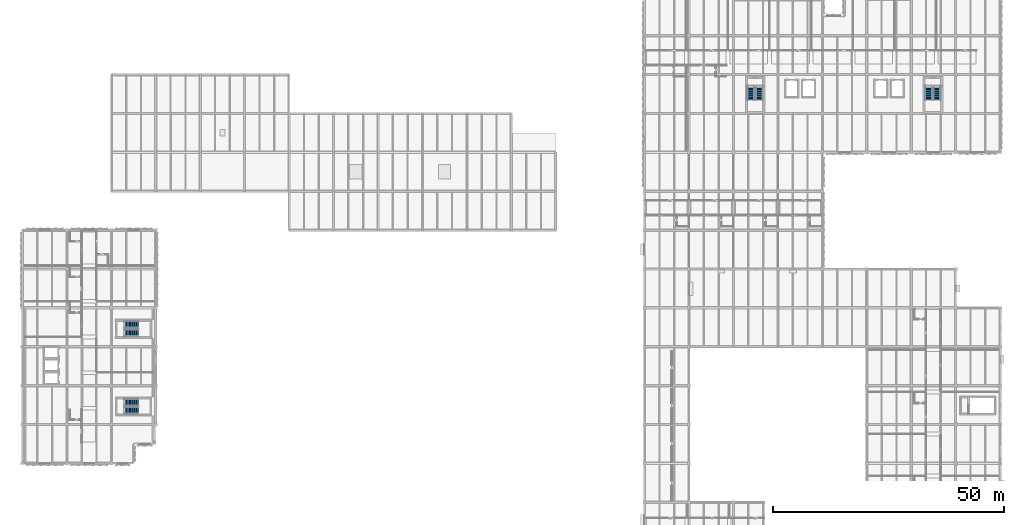
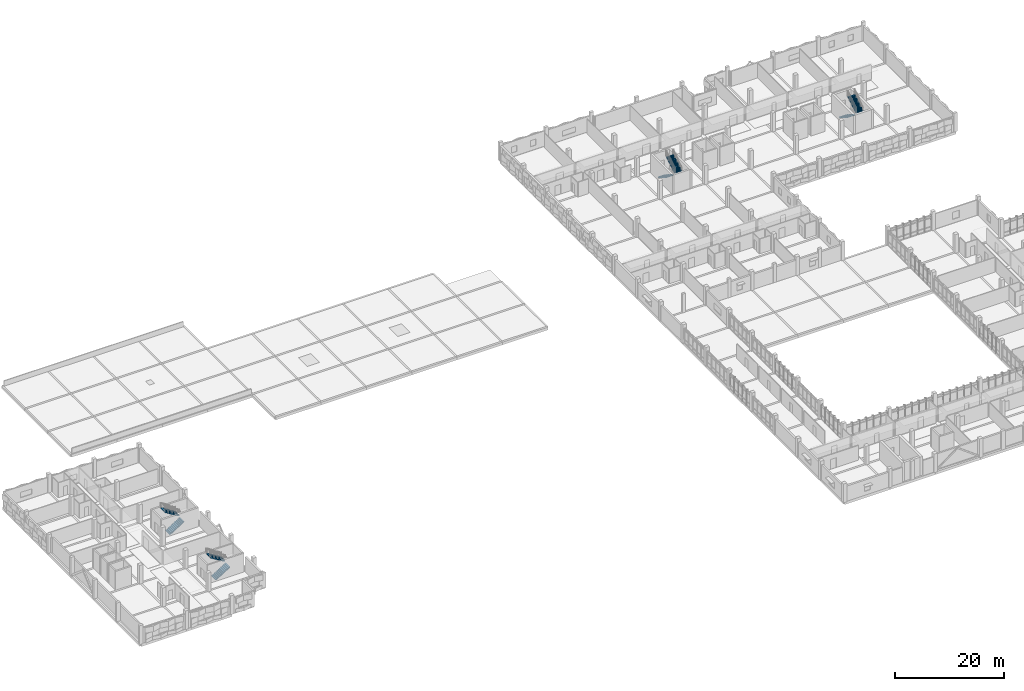
# One storey, part 48 of 57: 8 stair flights, 4 elements without a shape of their own.
"""IFC4 building model written with IfcOpenShell, lengths in metres."""

import ifcopenshell
import ifcopenshell.guid

model = None  # the IFC model being written
_history = None  # IfcOwnerHistory: only IFC2X3 demands one
_inside = {}  # id of a spatial element -> (the spatial element, [elements in it])
_under = {}  # id of a project, library or spatial element -> (it, [spatial elements below it])
_declared = {}  # id of a project -> (the project, [libraries it declares])
_typed = {}  # id of a type object -> (the type object, [elements of that type])
_made_of = {}  # id of a material, layer set ... -> (it, [elements and type objects made of it])


def new_model(schema):
    """Start an empty IFC model of exactly this schema.

    Asked for "IFC4X3", IfcOpenShell would pick the latest addendum, in which some entities
    have other attributes; the version numbers below select the first issue.
    IFC2X3 requires an IfcOwnerHistory on every rooted entity: one is made here for all.
    """
    global model, _history
    if schema == "IFC4X3":
        model = ifcopenshell.file(schema_version=(4, 3, 0, 0))
    else:
        model = ifcopenshell.file(schema=schema)
    _inside.clear()
    _under.clear()
    _declared.clear()
    _typed.clear()
    _made_of.clear()
    _history = None
    if model.schema == "IFC2X3":
        org = make("IfcOrganization", Name="unknown")
        user = make(
            "IfcPersonAndOrganization",
            ThePerson=make("IfcPerson", FamilyName="unknown"),
            TheOrganization=org,
        )
        app = make(
            "IfcApplication",
            ApplicationDeveloper=org,
            Version="unknown",
            ApplicationFullName="unknown",
            ApplicationIdentifier="unknown",
        )
        _history = make(
            "IfcOwnerHistory",
            OwningUser=user,
            OwningApplication=app,
            ChangeAction="ADDED",
            CreationDate=0,
        )
    return model


def make(cls, **values):
    """One entity of the class cls with the attributes given. An attribute that is None is left unset."""
    return model.create_entity(
        cls, **{name: value for name, value in values.items() if value is not None}
    )


def rooted(cls, **values):
    """An entity with a GlobalId (a new one), such as an element, a storey or a relation."""
    return make(cls, GlobalId=ifcopenshell.guid.new(), OwnerHistory=_history, **values)


def si_unit(unit_type, name, prefix=None):
    """IfcSIUnit, for example si_unit("LENGTHUNIT", "METRE", prefix="MILLI")."""
    return make("IfcSIUnit", UnitType=unit_type, Prefix=prefix, Name=name)


def assignment(units):
    """IfcUnitAssignment: the units of a project."""
    return None if units is None else make("IfcUnitAssignment", Units=units)


def point(xyz):
    """IfcCartesianPoint."""
    return None if xyz is None else make("IfcCartesianPoint", Coordinates=xyz)


def direction(xyz):
    """IfcDirection."""
    return None if xyz is None else make("IfcDirection", DirectionRatios=xyz)


def frame(location, z_axis=None, x_axis=None):
    """IfcAxis2Placement3D, a coordinate frame: its origin and axes. An axis left out is left unset."""
    return make(
        "IfcAxis2Placement3D",
        Location=point(location),
        Axis=direction(z_axis),
        RefDirection=direction(x_axis),
    )


def origin():
    """The frame at (0, 0, 0) with its axes left unset."""
    return frame((0.0, 0.0, 0.0))


def place(relative_to, where):
    """IfcLocalPlacement: puts the frame where relative to a parent placement (None: the world)."""
    return make(
        "IfcLocalPlacement", PlacementRelTo=relative_to, RelativePlacement=where
    )


def context(
    kind, dimensions, precision=None, world=None, true_north=None, identifier=None
):
    """IfcGeometricRepresentationContext, for example the 3D "Model" context."""
    return make(
        "IfcGeometricRepresentationContext",
        ContextIdentifier=identifier,
        ContextType=kind,
        CoordinateSpaceDimension=dimensions,
        Precision=precision,
        WorldCoordinateSystem=world,
        TrueNorth=true_north,
    )


def subcontext(parent, identifier, kind, view, scale=None):
    """IfcGeometricRepresentationSubContext, for example "Body" below "Model"."""
    return make(
        "IfcGeometricRepresentationSubContext",
        ContextIdentifier=identifier,
        ContextType=kind,
        ParentContext=parent,
        TargetScale=scale,
        TargetView=view,
    )


def project(units=None, contexts=None):
    """IfcProject with its units and contexts."""
    return rooted(
        "IfcProject",
        Name="project",
        RepresentationContexts=contexts,
        UnitsInContext=assignment(units),
    )


def spatial(cls, under=None, at=None, **own):
    """A site, building, storey or space (cls), placed at a placement, below another one or the project."""
    s = rooted(cls, ObjectPlacement=at, **own)
    if under is not None:
        _under.setdefault(under.id(), (under, []))[1].append(s)
    return s


def polyline(points):
    """IfcPolyline through the points."""
    return make("IfcPolyline", Points=[point(p) for p in points])


def outline(outer, holes=None, kind="AREA"):
    """IfcArbitraryClosedProfileDef: a profile drawn as a closed curve; with holes, ...WithVoids."""
    if holes is None:
        return make("IfcArbitraryClosedProfileDef", ProfileType=kind, OuterCurve=outer)
    return make(
        "IfcArbitraryProfileDefWithVoids",
        ProfileType=kind,
        OuterCurve=outer,
        InnerCurves=holes,
    )


def extrude(swept, where, along, depth):
    """IfcExtrudedAreaSolid: the profile swept, set in the frame where, extruded along a direction by depth."""
    return make(
        "IfcExtrudedAreaSolid",
        SweptArea=swept,
        Position=where,
        ExtrudedDirection=direction(along),
        Depth=depth,
    )


def shape(context_of_items, identifier, shape_type, items):
    """IfcShapeRepresentation: the items that make up one representation, for example the "Body"."""
    return make(
        "IfcShapeRepresentation",
        ContextOfItems=context_of_items,
        RepresentationIdentifier=identifier,
        RepresentationType=shape_type,
        Items=items,
    )


def material(Name=None, Category=None):
    """IfcMaterial."""
    return make("IfcMaterial", Name=Name, Category=Category)


def made_of(thing, what):
    """Note that an element or type object is made of a material, layer set ...; save() writes the relation."""
    if what is not None:
        _made_of.setdefault(what.id(), (what, []))[1].append(thing)
    return thing


def type_object(cls, material=None, **own):
    """A type object (cls), such as IfcWallType, which elements share."""
    return made_of(rooted(cls, **own), material)


def element(
    cls,
    number,
    at=None,
    inside=None,
    cuts=None,
    type_object=None,
    material=None,
    context=None,
    identifier="Body",
    shape_type=None,
    held_by="IfcProductDefinitionShape",
    body=None,
    shapes=None,
    **own,
):
    """One element of the class cls, such as IfcWall. Its Tag is "e" and its number.

    at: its placement. inside: the storey or other place that contains it. cuts: it is an
    opening in that element (IfcRelVoidsElement). A single representation is given by context,
    identifier, shape_type and body (its items); several are given by shapes. held_by: the class
    of the entity that holds the representations. save() writes the other relations.
    """
    e = rooted(cls, Tag="e%d" % number, ObjectPlacement=at, **own)
    if body is not None:
        shapes = [shape(context, identifier, shape_type, body)]
    if shapes is not None:
        e.Representation = make(held_by, Representations=shapes)
    if inside is not None:
        _inside.setdefault(inside.id(), (inside, []))[1].append(e)
    if cuts is not None:
        rooted(
            "IfcRelVoidsElement", RelatingBuildingElement=cuts, RelatedOpeningElement=e
        )
    if type_object is not None:
        _typed.setdefault(type_object.id(), (type_object, []))[1].append(e)
    return made_of(e, material)


def aggregate(whole, parts):
    """IfcRelAggregates: a whole, such as a stair, and the parts it consists of."""
    return rooted("IfcRelAggregates", RelatingObject=whole, RelatedObjects=parts)


def save(model, path):
    """Write the relations noted so far, then the file.

    IfcRelAggregates (storeys below a building ...), IfcRelContainedInSpatialStructure (elements
    in a storey), IfcRelDefinesByType, IfcRelAssociatesMaterial and IfcRelDeclares: one each for
    every whole, place, type object, material and project.
    """
    for whole, parts in _under.values():
        aggregate(whole, parts)
    for where, things in _inside.values():
        rooted(
            "IfcRelContainedInSpatialStructure",
            RelatedElements=things,
            RelatingStructure=where,
        )
    for kind, things in _typed.values():
        rooted("IfcRelDefinesByType", RelatedObjects=things, RelatingType=kind)
    for what, things in _made_of.values():
        rooted("IfcRelAssociatesMaterial", RelatedObjects=things, RelatingMaterial=what)
    for by, libraries in _declared.values():
        rooted("IfcRelDeclares", RelatingContext=by, RelatedDefinitions=libraries)
    model.write(path)


model = new_model("IFC4")

# Units and contexts
model_context = context("Model", 3, precision=1e-05, world=origin(), true_north=direction((0.0, 1.0)))
body_context = subcontext(model_context, "Body", "Model", "MODEL_VIEW")
ifc_project = project(units=[si_unit("LENGTHUNIT", "METRE"), si_unit("AREAUNIT", "SQUARE_METRE"), si_unit("VOLUMEUNIT", "CUBIC_METRE"), si_unit("PLANEANGLEUNIT", "RADIAN"), si_unit("MASSUNIT", "GRAM", prefix="KILO")], contexts=[model_context])

# Site, building, storey
site_placement = place(None, origin())
site = spatial("IfcSite", under=ifc_project, at=site_placement, CompositionType="ELEMENT")
building_placement = place(site_placement, origin())
building = spatial("IfcBuilding", under=site, at=building_placement, Name="Oolite Switchyard Hospital", CompositionType="ELEMENT")
storey_placement = place(building_placement, frame((0.0, 0.0, 17.800048828125)))
storey = spatial("IfcBuildingStorey", under=building, at=storey_placement, Name="L04", CompositionType="ELEMENT", Elevation=17.800048828125)

# Stair, stair flights
ifc_material = material(Name="Concrete C40/50", Category="concrete")
stair_type = type_object("IfcStairType", Name="STR-DL-156-R24", PredefinedType="HALF_TURN_STAIR", material=ifc_material)
stair_1_placement = place(storey_placement, origin())
stair_1 = element("IfcStair", 1, at=stair_1_placement, inside=storey, type_object=stair_type, Name="L04 Exit Stair ST-01", PredefinedType="HALF_TURN_STAIR")
stair_flight_type = type_object("IfcStairFlightType", Name="FLT-DL-156-R12", PredefinedType="STRAIGHT", material=ifc_material)
stair_flight_1_placement = place(storey_placement, frame((21.9599609375, 44.97998046875, 0.0), z_axis=(0.0, 0.0, 1.0), x_axis=(1.0, 0.0, 0.0)))
stair_flight_1 = element("IfcStairFlight", 2, at=stair_flight_1_placement, type_object=stair_flight_type, Name="ST-01 flight 1", NumberOfRisers=12, NumberOfTreads=11, PredefinedType="STRAIGHT", RiserHeight=0.175, TreadLength=0.28, context=body_context, shape_type="SweptSolid", body=[
    extrude(outline(polyline([(0.0, 0.0), (0.0, 0.175048828125), (0.280029296875, 0.175048828125), (0.280029296875, 0.35009765625), (0.56005859375, 0.35009765625), (0.56005859375, 0.52490234375), (0.840087890625, 0.52490234375), (0.840087890625, 0.699951171875), (1.1201171875, 0.699951171875), (1.1201171875, 0.875), (1.39990234375, 0.875), (1.39990234375, 1.050048828125), (1.679931640625, 1.050048828125), (1.679931640625, 1.22509765625), (1.9599609375, 1.22509765625), (1.9599609375, 1.39990234375), (2.239990234375, 1.39990234375), (2.239990234375, 1.574951171875), (2.52001953125, 1.574951171875), (2.52001953125, 1.75), (2.800048828125, 1.75), (2.800048828125, 1.925048828125), (3.080078125, 1.925048828125), (3.080078125, 2.10009765625), (3.080078125, 1.748291015625), (0.28271484375, 0.0), (0.0, 0.0)])), frame((0.0, 0.780029296875, 0.0), z_axis=(0.0, -1.0, 0.0), x_axis=(1.0, 0.0, 0.0)), (0.0, 0.0, 1.0), 1.56005859375),
])
stair_flight_2_placement = place(storey_placement, frame((25.0400390625, 46.780029296875, 2.099853515625), z_axis=(0.0, 0.0, 1.0), x_axis=(-1.0, 0.0, 0.0)))
stair_flight_2 = element("IfcStairFlight", 3, at=stair_flight_2_placement, type_object=stair_flight_type, Name="ST-01 flight 2", NumberOfRisers=12, NumberOfTreads=11, PredefinedType="STRAIGHT", RiserHeight=0.175, TreadLength=0.28, context=body_context, shape_type="SweptSolid", body=[
    extrude(outline(polyline([(0.0, 0.0), (0.0, 0.175048828125), (0.280029296875, 0.175048828125), (0.280029296875, 0.35009765625), (0.56005859375, 0.35009765625), (0.56005859375, 0.52490234375), (0.840087890625, 0.52490234375), (0.840087890625, 0.699951171875), (1.1201171875, 0.699951171875), (1.1201171875, 0.875), (1.39990234375, 0.875), (1.39990234375, 1.050048828125), (1.679931640625, 1.050048828125), (1.679931640625, 1.22509765625), (1.9599609375, 1.22509765625), (1.9599609375, 1.39990234375), (2.239990234375, 1.39990234375), (2.239990234375, 1.574951171875), (2.52001953125, 1.574951171875), (2.52001953125, 1.75), (2.800048828125, 1.75), (2.800048828125, 1.925048828125), (3.080078125, 1.925048828125), (3.080078125, 2.10009765625), (3.080078125, 1.748291015625), (0.28271484375, 0.0), (0.0, 0.0)])), frame((0.0, 0.780029296875, 0.0), z_axis=(0.0, -1.0, 0.0), x_axis=(1.0, 0.0, 0.0)), (0.0, 0.0, 1.0), 1.56005859375),
])
aggregate(stair_1, [stair_flight_1, stair_flight_2])

stair_2_placement = place(storey_placement, origin())
stair_2 = element("IfcStair", 4, at=stair_2_placement, inside=storey, type_object=stair_type, Name="L04 Exit Stair ST-02", PredefinedType="HALF_TURN_STAIR")
stair_flight_3_placement = place(storey_placement, frame((21.9599609375, 61.780029296875, 0.0), z_axis=(0.0, 0.0, 1.0), x_axis=(1.0, 0.0, 0.0)))
stair_flight_3 = element("IfcStairFlight", 5, at=stair_flight_3_placement, type_object=stair_flight_type, Name="ST-02 flight 1", NumberOfRisers=12, NumberOfTreads=11, PredefinedType="STRAIGHT", RiserHeight=0.175, TreadLength=0.28, context=body_context, shape_type="SweptSolid", body=[
    extrude(outline(polyline([(0.0, 0.0), (0.0, 0.175048828125), (0.280029296875, 0.175048828125), (0.280029296875, 0.35009765625), (0.56005859375, 0.35009765625), (0.56005859375, 0.52490234375), (0.840087890625, 0.52490234375), (0.840087890625, 0.699951171875), (1.1201171875, 0.699951171875), (1.1201171875, 0.875), (1.39990234375, 0.875), (1.39990234375, 1.050048828125), (1.679931640625, 1.050048828125), (1.679931640625, 1.22509765625), (1.9599609375, 1.22509765625), (1.9599609375, 1.39990234375), (2.239990234375, 1.39990234375), (2.239990234375, 1.574951171875), (2.52001953125, 1.574951171875), (2.52001953125, 1.75), (2.800048828125, 1.75), (2.800048828125, 1.925048828125), (3.080078125, 1.925048828125), (3.080078125, 2.10009765625), (3.080078125, 1.748291015625), (0.28271484375, 0.0), (0.0, 0.0)])), frame((0.0, 0.780029296875, 0.0), z_axis=(0.0, -1.0, 0.0), x_axis=(1.0, 0.0, 0.0)), (0.0, 0.0, 1.0), 1.56005859375),
])
stair_flight_4_placement = place(storey_placement, frame((25.0400390625, 63.580078125, 2.099853515625), z_axis=(0.0, 0.0, 1.0), x_axis=(-1.0, 0.0, 0.0)))
stair_flight_4 = element("IfcStairFlight", 6, at=stair_flight_4_placement, type_object=stair_flight_type, Name="ST-02 flight 2", NumberOfRisers=12, NumberOfTreads=11, PredefinedType="STRAIGHT", RiserHeight=0.175, TreadLength=0.28, context=body_context, shape_type="SweptSolid", body=[
    extrude(outline(polyline([(0.0, 0.0), (0.0, 0.175048828125), (0.280029296875, 0.175048828125), (0.280029296875, 0.35009765625), (0.56005859375, 0.35009765625), (0.56005859375, 0.52490234375), (0.840087890625, 0.52490234375), (0.840087890625, 0.699951171875), (1.1201171875, 0.699951171875), (1.1201171875, 0.875), (1.39990234375, 0.875), (1.39990234375, 1.050048828125), (1.679931640625, 1.050048828125), (1.679931640625, 1.22509765625), (1.9599609375, 1.22509765625), (1.9599609375, 1.39990234375), (2.239990234375, 1.39990234375), (2.239990234375, 1.574951171875), (2.52001953125, 1.574951171875), (2.52001953125, 1.75), (2.800048828125, 1.75), (2.800048828125, 1.925048828125), (3.080078125, 1.925048828125), (3.080078125, 2.10009765625), (3.080078125, 1.748291015625), (0.28271484375, 0.0), (0.0, 0.0)])), frame((0.0, 0.780029296875, 0.0), z_axis=(0.0, -1.0, 0.0), x_axis=(1.0, 0.0, 0.0)), (0.0, 0.0, 1.0), 1.56005859375),
])
aggregate(stair_2, [stair_flight_3, stair_flight_4])

stair_3_placement = place(storey_placement, origin())
stair_3 = element("IfcStair", 7, at=stair_3_placement, inside=storey, type_object=stair_type, Name="L04 Exit Stair ST-03", PredefinedType="HALF_TURN_STAIR")
stair_flight_5_placement = place(storey_placement, frame((157.3798828125, 115.18994140625, 0.0), z_axis=(0.0, 0.0, 1.0), x_axis=(0.0, -1.0, 0.0)))
stair_flight_5 = element("IfcStairFlight", 8, at=stair_flight_5_placement, type_object=stair_flight_type, Name="ST-03 flight 1", NumberOfRisers=12, NumberOfTreads=11, PredefinedType="STRAIGHT", RiserHeight=0.175, TreadLength=0.28, context=body_context, shape_type="SweptSolid", body=[
    extrude(outline(polyline([(0.0, 0.0), (0.0, 0.175048828125), (0.280029296875, 0.175048828125), (0.280029296875, 0.35009765625), (0.56005859375, 0.35009765625), (0.56005859375, 0.52490234375), (0.840087890625, 0.52490234375), (0.840087890625, 0.699951171875), (1.1201171875, 0.699951171875), (1.1201171875, 0.875), (1.39990234375, 0.875), (1.39990234375, 1.050048828125), (1.679931640625, 1.050048828125), (1.679931640625, 1.22509765625), (1.9599609375, 1.22509765625), (1.9599609375, 1.39990234375), (2.239990234375, 1.39990234375), (2.239990234375, 1.574951171875), (2.52001953125, 1.574951171875), (2.52001953125, 1.75), (2.800048828125, 1.75), (2.800048828125, 1.925048828125), (3.080078125, 1.925048828125), (3.080078125, 2.10009765625), (3.080078125, 1.748291015625), (0.28271484375, 0.0), (0.0, 0.0)])), frame((0.0, 0.780029296875, 0.0), z_axis=(0.0, -1.0, 0.0), x_axis=(1.0, 0.0, 0.0)), (0.0, 0.0, 1.0), 1.56005859375),
])
stair_flight_6_placement = place(storey_placement, frame((159.179931640625, 112.110107421875, 2.099853515625), z_axis=(0.0, 0.0, 1.0), x_axis=(0.0, 1.0, 0.0)))
stair_flight_6 = element("IfcStairFlight", 9, at=stair_flight_6_placement, type_object=stair_flight_type, Name="ST-03 flight 2", NumberOfRisers=12, NumberOfTreads=11, PredefinedType="STRAIGHT", RiserHeight=0.175, TreadLength=0.28, context=body_context, shape_type="SweptSolid", body=[
    extrude(outline(polyline([(0.0, 0.0), (0.0, 0.175048828125), (0.280029296875, 0.175048828125), (0.280029296875, 0.35009765625), (0.56005859375, 0.35009765625), (0.56005859375, 0.52490234375), (0.840087890625, 0.52490234375), (0.840087890625, 0.699951171875), (1.1201171875, 0.699951171875), (1.1201171875, 0.875), (1.39990234375, 0.875), (1.39990234375, 1.050048828125), (1.679931640625, 1.050048828125), (1.679931640625, 1.22509765625), (1.9599609375, 1.22509765625), (1.9599609375, 1.39990234375), (2.239990234375, 1.39990234375), (2.239990234375, 1.574951171875), (2.52001953125, 1.574951171875), (2.52001953125, 1.75), (2.800048828125, 1.75), (2.800048828125, 1.925048828125), (3.080078125, 1.925048828125), (3.080078125, 2.10009765625), (3.080078125, 1.748291015625), (0.28271484375, 0.0), (0.0, 0.0)])), frame((0.0, 0.780029296875, 0.0), z_axis=(0.0, -1.0, 0.0), x_axis=(1.0, 0.0, 0.0)), (0.0, 0.0, 1.0), 1.56005859375),
])
aggregate(stair_3, [stair_flight_5, stair_flight_6])

stair_4_placement = place(storey_placement, origin())
stair_4 = element("IfcStair", 10, at=stair_4_placement, inside=storey, type_object=stair_type, Name="L04 Exit Stair ST-04", PredefinedType="HALF_TURN_STAIR")
stair_flight_7_placement = place(storey_placement, frame((195.780029296875, 115.18994140625, 0.0), z_axis=(0.0, 0.0, 1.0), x_axis=(0.0, -1.0, 0.0)))
stair_flight_7 = element("IfcStairFlight", 11, at=stair_flight_7_placement, type_object=stair_flight_type, Name="ST-04 flight 1", NumberOfRisers=12, NumberOfTreads=11, PredefinedType="STRAIGHT", RiserHeight=0.175, TreadLength=0.28, context=body_context, shape_type="SweptSolid", body=[
    extrude(outline(polyline([(0.0, 0.0), (0.0, 0.175048828125), (0.280029296875, 0.175048828125), (0.280029296875, 0.35009765625), (0.56005859375, 0.35009765625), (0.56005859375, 0.52490234375), (0.840087890625, 0.52490234375), (0.840087890625, 0.699951171875), (1.1201171875, 0.699951171875), (1.1201171875, 0.875), (1.39990234375, 0.875), (1.39990234375, 1.050048828125), (1.679931640625, 1.050048828125), (1.679931640625, 1.22509765625), (1.9599609375, 1.22509765625), (1.9599609375, 1.39990234375), (2.239990234375, 1.39990234375), (2.239990234375, 1.574951171875), (2.52001953125, 1.574951171875), (2.52001953125, 1.75), (2.800048828125, 1.75), (2.800048828125, 1.925048828125), (3.080078125, 1.925048828125), (3.080078125, 2.10009765625), (3.080078125, 1.748291015625), (0.28271484375, 0.0), (0.0, 0.0)])), frame((0.0, 0.780029296875, 0.0), z_axis=(0.0, -1.0, 0.0), x_axis=(1.0, 0.0, 0.0)), (0.0, 0.0, 1.0), 1.56005859375),
])
stair_flight_8_placement = place(storey_placement, frame((197.580078125, 112.110107421875, 2.099853515625), z_axis=(0.0, 0.0, 1.0), x_axis=(0.0, 1.0, 0.0)))
stair_flight_8 = element("IfcStairFlight", 12, at=stair_flight_8_placement, type_object=stair_flight_type, Name="ST-04 flight 2", NumberOfRisers=12, NumberOfTreads=11, PredefinedType="STRAIGHT", RiserHeight=0.175, TreadLength=0.28, context=body_context, shape_type="SweptSolid", body=[
    extrude(outline(polyline([(0.0, 0.0), (0.0, 0.175048828125), (0.280029296875, 0.175048828125), (0.280029296875, 0.35009765625), (0.56005859375, 0.35009765625), (0.56005859375, 0.52490234375), (0.840087890625, 0.52490234375), (0.840087890625, 0.699951171875), (1.1201171875, 0.699951171875), (1.1201171875, 0.875), (1.39990234375, 0.875), (1.39990234375, 1.050048828125), (1.679931640625, 1.050048828125), (1.679931640625, 1.22509765625), (1.9599609375, 1.22509765625), (1.9599609375, 1.39990234375), (2.239990234375, 1.39990234375), (2.239990234375, 1.574951171875), (2.52001953125, 1.574951171875), (2.52001953125, 1.75), (2.800048828125, 1.75), (2.800048828125, 1.925048828125), (3.080078125, 1.925048828125), (3.080078125, 2.10009765625), (3.080078125, 1.748291015625), (0.28271484375, 0.0), (0.0, 0.0)])), frame((0.0, 0.780029296875, 0.0), z_axis=(0.0, -1.0, 0.0), x_axis=(1.0, 0.0, 0.0)), (0.0, 0.0, 1.0), 1.56005859375),
])
aggregate(stair_4, [stair_flight_7, stair_flight_8])

save(model, "model.ifc")
